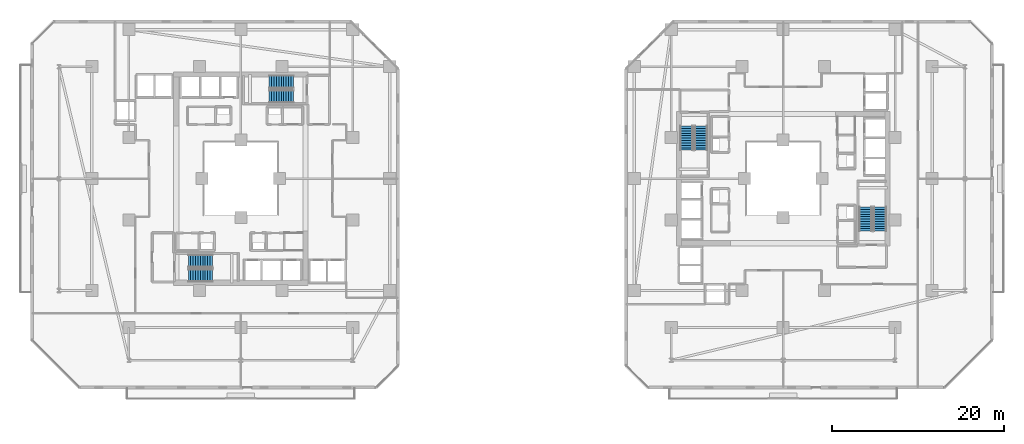
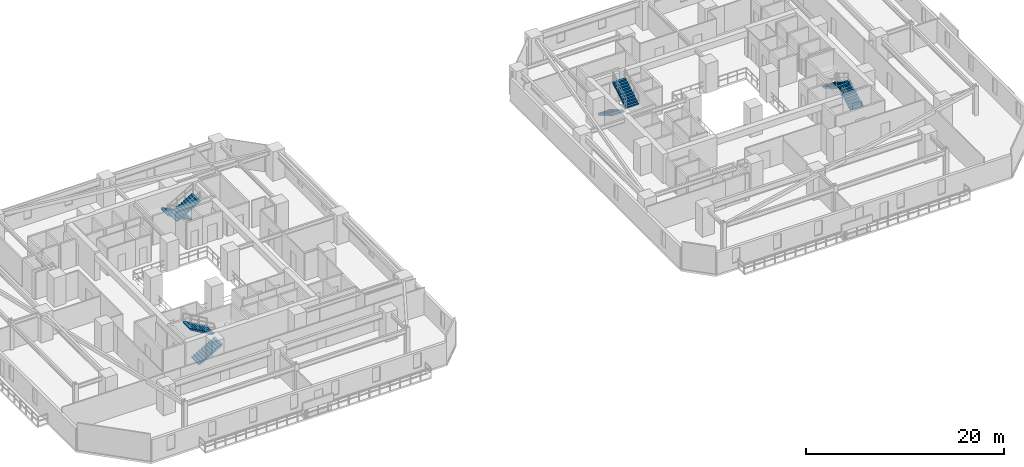
# One storey, part 26 of 33: 8 stair flights, 4 elements without a shape of their own.
"""IFC4 building model written with IfcOpenShell, lengths in metres."""

import ifcopenshell
import ifcopenshell.guid

model = None  # the IFC model being written
_history = None  # IfcOwnerHistory: only IFC2X3 demands one
_inside = {}  # id of a spatial element -> (the spatial element, [elements in it])
_under = {}  # id of a project, library or spatial element -> (it, [spatial elements below it])
_declared = {}  # id of a project -> (the project, [libraries it declares])
_typed = {}  # id of a type object -> (the type object, [elements of that type])
_made_of = {}  # id of a material, layer set ... -> (it, [elements and type objects made of it])


def new_model(schema):
    """Start an empty IFC model of exactly this schema.

    Asked for "IFC4X3", IfcOpenShell would pick the latest addendum, in which some entities
    have other attributes; the version numbers below select the first issue.
    IFC2X3 requires an IfcOwnerHistory on every rooted entity: one is made here for all.
    """
    global model, _history
    if schema == "IFC4X3":
        model = ifcopenshell.file(schema_version=(4, 3, 0, 0))
    else:
        model = ifcopenshell.file(schema=schema)
    _inside.clear()
    _under.clear()
    _declared.clear()
    _typed.clear()
    _made_of.clear()
    _history = None
    if model.schema == "IFC2X3":
        org = make("IfcOrganization", Name="unknown")
        user = make(
            "IfcPersonAndOrganization",
            ThePerson=make("IfcPerson", FamilyName="unknown"),
            TheOrganization=org,
        )
        app = make(
            "IfcApplication",
            ApplicationDeveloper=org,
            Version="unknown",
            ApplicationFullName="unknown",
            ApplicationIdentifier="unknown",
        )
        _history = make(
            "IfcOwnerHistory",
            OwningUser=user,
            OwningApplication=app,
            ChangeAction="ADDED",
            CreationDate=0,
        )
    return model


def make(cls, **values):
    """One entity of the class cls with the attributes given. An attribute that is None is left unset."""
    return model.create_entity(
        cls, **{name: value for name, value in values.items() if value is not None}
    )


def rooted(cls, **values):
    """An entity with a GlobalId (a new one), such as an element, a storey or a relation."""
    return make(cls, GlobalId=ifcopenshell.guid.new(), OwnerHistory=_history, **values)


def si_unit(unit_type, name, prefix=None):
    """IfcSIUnit, for example si_unit("LENGTHUNIT", "METRE", prefix="MILLI")."""
    return make("IfcSIUnit", UnitType=unit_type, Prefix=prefix, Name=name)


def assignment(units):
    """IfcUnitAssignment: the units of a project."""
    return None if units is None else make("IfcUnitAssignment", Units=units)


def point(xyz):
    """IfcCartesianPoint."""
    return None if xyz is None else make("IfcCartesianPoint", Coordinates=xyz)


def direction(xyz):
    """IfcDirection."""
    return None if xyz is None else make("IfcDirection", DirectionRatios=xyz)


def frame(location, z_axis=None, x_axis=None):
    """IfcAxis2Placement3D, a coordinate frame: its origin and axes. An axis left out is left unset."""
    return make(
        "IfcAxis2Placement3D",
        Location=point(location),
        Axis=direction(z_axis),
        RefDirection=direction(x_axis),
    )


def origin():
    """The frame at (0, 0, 0) with its axes left unset."""
    return frame((0.0, 0.0, 0.0))


def place(relative_to, where):
    """IfcLocalPlacement: puts the frame where relative to a parent placement (None: the world)."""
    return make(
        "IfcLocalPlacement", PlacementRelTo=relative_to, RelativePlacement=where
    )


def context(
    kind, dimensions, precision=None, world=None, true_north=None, identifier=None
):
    """IfcGeometricRepresentationContext, for example the 3D "Model" context."""
    return make(
        "IfcGeometricRepresentationContext",
        ContextIdentifier=identifier,
        ContextType=kind,
        CoordinateSpaceDimension=dimensions,
        Precision=precision,
        WorldCoordinateSystem=world,
        TrueNorth=true_north,
    )


def subcontext(parent, identifier, kind, view, scale=None):
    """IfcGeometricRepresentationSubContext, for example "Body" below "Model"."""
    return make(
        "IfcGeometricRepresentationSubContext",
        ContextIdentifier=identifier,
        ContextType=kind,
        ParentContext=parent,
        TargetScale=scale,
        TargetView=view,
    )


def project(units=None, contexts=None):
    """IfcProject with its units and contexts."""
    return rooted(
        "IfcProject",
        Name="project",
        RepresentationContexts=contexts,
        UnitsInContext=assignment(units),
    )


def spatial(cls, under=None, at=None, **own):
    """A site, building, storey or space (cls), placed at a placement, below another one or the project."""
    s = rooted(cls, ObjectPlacement=at, **own)
    if under is not None:
        _under.setdefault(under.id(), (under, []))[1].append(s)
    return s


def polyline(points):
    """IfcPolyline through the points."""
    return make("IfcPolyline", Points=[point(p) for p in points])


def outline(outer, holes=None, kind="AREA"):
    """IfcArbitraryClosedProfileDef: a profile drawn as a closed curve; with holes, ...WithVoids."""
    if holes is None:
        return make("IfcArbitraryClosedProfileDef", ProfileType=kind, OuterCurve=outer)
    return make(
        "IfcArbitraryProfileDefWithVoids",
        ProfileType=kind,
        OuterCurve=outer,
        InnerCurves=holes,
    )


def extrude(swept, where, along, depth):
    """IfcExtrudedAreaSolid: the profile swept, set in the frame where, extruded along a direction by depth."""
    return make(
        "IfcExtrudedAreaSolid",
        SweptArea=swept,
        Position=where,
        ExtrudedDirection=direction(along),
        Depth=depth,
    )


def shape(context_of_items, identifier, shape_type, items):
    """IfcShapeRepresentation: the items that make up one representation, for example the "Body"."""
    return make(
        "IfcShapeRepresentation",
        ContextOfItems=context_of_items,
        RepresentationIdentifier=identifier,
        RepresentationType=shape_type,
        Items=items,
    )


def material(Name=None, Category=None):
    """IfcMaterial."""
    return make("IfcMaterial", Name=Name, Category=Category)


def made_of(thing, what):
    """Note that an element or type object is made of a material, layer set ...; save() writes the relation."""
    if what is not None:
        _made_of.setdefault(what.id(), (what, []))[1].append(thing)
    return thing


def type_object(cls, material=None, **own):
    """A type object (cls), such as IfcWallType, which elements share."""
    return made_of(rooted(cls, **own), material)


def element(
    cls,
    number,
    at=None,
    inside=None,
    cuts=None,
    type_object=None,
    material=None,
    context=None,
    identifier="Body",
    shape_type=None,
    held_by="IfcProductDefinitionShape",
    body=None,
    shapes=None,
    **own,
):
    """One element of the class cls, such as IfcWall. Its Tag is "e" and its number.

    at: its placement. inside: the storey or other place that contains it. cuts: it is an
    opening in that element (IfcRelVoidsElement). A single representation is given by context,
    identifier, shape_type and body (its items); several are given by shapes. held_by: the class
    of the entity that holds the representations. save() writes the other relations.
    """
    e = rooted(cls, Tag="e%d" % number, ObjectPlacement=at, **own)
    if body is not None:
        shapes = [shape(context, identifier, shape_type, body)]
    if shapes is not None:
        e.Representation = make(held_by, Representations=shapes)
    if inside is not None:
        _inside.setdefault(inside.id(), (inside, []))[1].append(e)
    if cuts is not None:
        rooted(
            "IfcRelVoidsElement", RelatingBuildingElement=cuts, RelatedOpeningElement=e
        )
    if type_object is not None:
        _typed.setdefault(type_object.id(), (type_object, []))[1].append(e)
    return made_of(e, material)


def aggregate(whole, parts):
    """IfcRelAggregates: a whole, such as a stair, and the parts it consists of."""
    return rooted("IfcRelAggregates", RelatingObject=whole, RelatedObjects=parts)


def save(model, path):
    """Write the relations noted so far, then the file.

    IfcRelAggregates (storeys below a building ...), IfcRelContainedInSpatialStructure (elements
    in a storey), IfcRelDefinesByType, IfcRelAssociatesMaterial and IfcRelDeclares: one each for
    every whole, place, type object, material and project.
    """
    for whole, parts in _under.values():
        aggregate(whole, parts)
    for where, things in _inside.values():
        rooted(
            "IfcRelContainedInSpatialStructure",
            RelatedElements=things,
            RelatingStructure=where,
        )
    for kind, things in _typed.values():
        rooted("IfcRelDefinesByType", RelatedObjects=things, RelatingType=kind)
    for what, things in _made_of.values():
        rooted("IfcRelAssociatesMaterial", RelatedObjects=things, RelatingMaterial=what)
    for by, libraries in _declared.values():
        rooted("IfcRelDeclares", RelatingContext=by, RelatedDefinitions=libraries)
    model.write(path)


model = new_model("IFC4")

# Units and contexts
model_context = context("Model", 3, precision=1e-05, world=origin(), true_north=direction((0.0, 1.0)))
body_context = subcontext(model_context, "Body", "Model", "MODEL_VIEW")
ifc_project = project(units=[si_unit("LENGTHUNIT", "METRE"), si_unit("AREAUNIT", "SQUARE_METRE"), si_unit("VOLUMEUNIT", "CUBIC_METRE"), si_unit("PLANEANGLEUNIT", "RADIAN"), si_unit("MASSUNIT", "GRAM", prefix="KILO")], contexts=[model_context])

# Site, building, storey
site_placement = place(None, origin())
site = spatial("IfcSite", under=ifc_project, at=site_placement, CompositionType="ELEMENT")
building_placement = place(site_placement, origin())
building = spatial("IfcBuilding", under=site, at=building_placement, Name="Thornwick Lancets Civic Towers", CompositionType="ELEMENT")
storey_placement = place(building_placement, frame((0.0, 0.0, 35.10009765625)))
storey = spatial("IfcBuildingStorey", under=building, at=storey_placement, Name="L08", CompositionType="ELEMENT", Elevation=35.10009765625)

# Stair, stair flights
ifc_material = material(Name="Concrete C40/50", Category="concrete")
stair_type = type_object("IfcStairType", Name="STAIR_DL_3600", PredefinedType="HALF_TURN_STAIR", material=ifc_material)
stair_1_placement = place(storey_placement, origin())
stair_1 = element("IfcStair", 1, at=stair_1_placement, inside=storey, type_object=stair_type, Name="L08 Tower A South Exit Stair ST-A1", PredefinedType="HALF_TURN_STAIR")
stair_flight_type = type_object("IfcStairFlightType", Name="FLIGHT_3600", PredefinedType="STRAIGHT", material=ifc_material)
stair_flight_1_placement = place(storey_placement, frame((19.39990234375, 15.75, 0.0), z_axis=(0.0, 0.0, 1.0), x_axis=(1.0, 0.0, 0.0)))
stair_flight_1 = element("IfcStairFlight", 2, at=stair_flight_1_placement, type_object=stair_flight_type, Name="ST-A1 flight 1", NumberOfRisers=11, NumberOfTreads=10, PredefinedType="STRAIGHT", RiserHeight=0.163636364, TreadLength=0.28, context=body_context, shape_type="SweptSolid", body=[
    extrude(outline(polyline([(0.0, 0.0), (0.0, 0.16357421875), (0.280029296875, 0.16357421875), (0.280029296875, 0.327392578125), (0.56005859375, 0.327392578125), (0.56005859375, 0.490966796875), (0.840087890625, 0.490966796875), (0.840087890625, 0.654541015625), (1.1201171875, 0.654541015625), (1.1201171875, 0.818115234375), (1.39990234375, 0.818115234375), (1.39990234375, 0.98193359375), (1.679931640625, 0.98193359375), (1.679931640625, 1.1455078125), (1.9599609375, 1.1455078125), (1.9599609375, 1.30908203125), (2.239990234375, 1.30908203125), (2.239990234375, 1.47265625), (2.52001953125, 1.47265625), (2.52001953125, 1.636474609375), (2.800048828125, 1.636474609375), (2.800048828125, 1.800048828125), (2.800048828125, 1.462646484375), (0.297119140625, 0.0), (0.0, 0.0)])), frame((0.0, 0.75, 0.0), z_axis=(0.0, -1.0, 0.0), x_axis=(1.0, 0.0, 0.0)), (0.0, 0.0, 1.0), 1.5),
])
stair_flight_2_placement = place(storey_placement, frame((22.199951171875, 17.449951171875, 1.7998046875), z_axis=(0.0, 0.0, 1.0), x_axis=(-1.0, 0.0, 0.0)))
stair_flight_2 = element("IfcStairFlight", 3, at=stair_flight_2_placement, type_object=stair_flight_type, Name="ST-A1 flight 2", NumberOfRisers=11, NumberOfTreads=10, PredefinedType="STRAIGHT", RiserHeight=0.163636364, TreadLength=0.28, context=body_context, shape_type="SweptSolid", body=[
    extrude(outline(polyline([(0.0, 0.0), (0.0, 0.16357421875), (0.280029296875, 0.16357421875), (0.280029296875, 0.327392578125), (0.56005859375, 0.327392578125), (0.56005859375, 0.490966796875), (0.840087890625, 0.490966796875), (0.840087890625, 0.654541015625), (1.1201171875, 0.654541015625), (1.1201171875, 0.818115234375), (1.39990234375, 0.818115234375), (1.39990234375, 0.98193359375), (1.679931640625, 0.98193359375), (1.679931640625, 1.1455078125), (1.9599609375, 1.1455078125), (1.9599609375, 1.30908203125), (2.239990234375, 1.30908203125), (2.239990234375, 1.47265625), (2.52001953125, 1.47265625), (2.52001953125, 1.636474609375), (2.800048828125, 1.636474609375), (2.800048828125, 1.800048828125), (2.800048828125, 1.462646484375), (0.297119140625, 0.0), (0.0, 0.0)])), frame((0.0, 0.75, 0.0), z_axis=(0.0, -1.0, 0.0), x_axis=(1.0, 0.0, 0.0)), (0.0, 0.0, 1.0), 1.5),
])
aggregate(stair_1, [stair_flight_1, stair_flight_2])

stair_2_placement = place(storey_placement, origin())
stair_2 = element("IfcStair", 4, at=stair_2_placement, inside=storey, type_object=stair_type, Name="L08 Tower A North Exit Stair ST-A2", PredefinedType="HALF_TURN_STAIR")
stair_flight_3_placement = place(storey_placement, frame((31.60009765625, 38.25, 0.0), z_axis=(0.0, 0.0, 1.0), x_axis=(-1.0, 0.0, 0.0)))
stair_flight_3 = element("IfcStairFlight", 5, at=stair_flight_3_placement, type_object=stair_flight_type, Name="ST-A2 flight 1", NumberOfRisers=11, NumberOfTreads=10, PredefinedType="STRAIGHT", RiserHeight=0.163636364, TreadLength=0.28, context=body_context, shape_type="SweptSolid", body=[
    extrude(outline(polyline([(0.0, 0.0), (0.0, 0.16357421875), (0.280029296875, 0.16357421875), (0.280029296875, 0.327392578125), (0.56005859375, 0.327392578125), (0.56005859375, 0.490966796875), (0.840087890625, 0.490966796875), (0.840087890625, 0.654541015625), (1.1201171875, 0.654541015625), (1.1201171875, 0.818115234375), (1.39990234375, 0.818115234375), (1.39990234375, 0.98193359375), (1.679931640625, 0.98193359375), (1.679931640625, 1.1455078125), (1.9599609375, 1.1455078125), (1.9599609375, 1.30908203125), (2.239990234375, 1.30908203125), (2.239990234375, 1.47265625), (2.52001953125, 1.47265625), (2.52001953125, 1.636474609375), (2.800048828125, 1.636474609375), (2.800048828125, 1.800048828125), (2.800048828125, 1.462646484375), (0.297119140625, 0.0), (0.0, 0.0)])), frame((0.0, 0.75, 0.0), z_axis=(0.0, -1.0, 0.0), x_axis=(1.0, 0.0, 0.0)), (0.0, 0.0, 1.0), 1.5),
])
stair_flight_4_placement = place(storey_placement, frame((28.800048828125, 36.550048828125, 1.7998046875), z_axis=(0.0, 0.0, 1.0), x_axis=(1.0, 0.0, 0.0)))
stair_flight_4 = element("IfcStairFlight", 6, at=stair_flight_4_placement, type_object=stair_flight_type, Name="ST-A2 flight 2", NumberOfRisers=11, NumberOfTreads=10, PredefinedType="STRAIGHT", RiserHeight=0.163636364, TreadLength=0.28, context=body_context, shape_type="SweptSolid", body=[
    extrude(outline(polyline([(0.0, 0.0), (0.0, 0.16357421875), (0.280029296875, 0.16357421875), (0.280029296875, 0.327392578125), (0.56005859375, 0.327392578125), (0.56005859375, 0.490966796875), (0.840087890625, 0.490966796875), (0.840087890625, 0.654541015625), (1.1201171875, 0.654541015625), (1.1201171875, 0.818115234375), (1.39990234375, 0.818115234375), (1.39990234375, 0.98193359375), (1.679931640625, 0.98193359375), (1.679931640625, 1.1455078125), (1.9599609375, 1.1455078125), (1.9599609375, 1.30908203125), (2.239990234375, 1.30908203125), (2.239990234375, 1.47265625), (2.52001953125, 1.47265625), (2.52001953125, 1.636474609375), (2.800048828125, 1.636474609375), (2.800048828125, 1.800048828125), (2.800048828125, 1.462646484375), (0.297119140625, 0.0), (0.0, 0.0)])), frame((0.0, 0.75, 0.0), z_axis=(0.0, -1.0, 0.0), x_axis=(1.0, 0.0, 0.0)), (0.0, 0.0, 1.0), 1.5),
])
aggregate(stair_2, [stair_flight_3, stair_flight_4])

stair_3_placement = place(storey_placement, origin())
stair_3 = element("IfcStair", 7, at=stair_3_placement, inside=storey, type_object=stair_type, Name="L08 Tower B East Exit Stair ST-B1", PredefinedType="HALF_TURN_STAIR")
stair_flight_5_placement = place(storey_placement, frame((99.75, 20.89990234375, 0.0), z_axis=(0.0, 0.0, 1.0), x_axis=(0.0, 1.0, 0.0)))
stair_flight_5 = element("IfcStairFlight", 8, at=stair_flight_5_placement, type_object=stair_flight_type, Name="ST-B1 flight 1", NumberOfRisers=11, NumberOfTreads=10, PredefinedType="STRAIGHT", RiserHeight=0.163636364, TreadLength=0.28, context=body_context, shape_type="SweptSolid", body=[
    extrude(outline(polyline([(0.0, 0.0), (0.0, 0.16357421875), (0.280029296875, 0.16357421875), (0.280029296875, 0.327392578125), (0.56005859375, 0.327392578125), (0.56005859375, 0.490966796875), (0.840087890625, 0.490966796875), (0.840087890625, 0.654541015625), (1.1201171875, 0.654541015625), (1.1201171875, 0.818115234375), (1.39990234375, 0.818115234375), (1.39990234375, 0.98193359375), (1.679931640625, 0.98193359375), (1.679931640625, 1.1455078125), (1.9599609375, 1.1455078125), (1.9599609375, 1.30908203125), (2.239990234375, 1.30908203125), (2.239990234375, 1.47265625), (2.52001953125, 1.47265625), (2.52001953125, 1.636474609375), (2.800048828125, 1.636474609375), (2.800048828125, 1.800048828125), (2.800048828125, 1.462646484375), (0.297119140625, 0.0), (0.0, 0.0)])), frame((0.0, 0.75, 0.0), z_axis=(0.0, -1.0, 0.0), x_axis=(1.0, 0.0, 0.0)), (0.0, 0.0, 1.0), 1.5),
])
stair_flight_6_placement = place(storey_placement, frame((98.050048828125, 23.699951171875, 1.7998046875), z_axis=(0.0, 0.0, 1.0), x_axis=(0.0, -1.0, 0.0)))
stair_flight_6 = element("IfcStairFlight", 9, at=stair_flight_6_placement, type_object=stair_flight_type, Name="ST-B1 flight 2", NumberOfRisers=11, NumberOfTreads=10, PredefinedType="STRAIGHT", RiserHeight=0.163636364, TreadLength=0.28, context=body_context, shape_type="SweptSolid", body=[
    extrude(outline(polyline([(0.0, 0.0), (0.0, 0.16357421875), (0.280029296875, 0.16357421875), (0.280029296875, 0.327392578125), (0.56005859375, 0.327392578125), (0.56005859375, 0.490966796875), (0.840087890625, 0.490966796875), (0.840087890625, 0.654541015625), (1.1201171875, 0.654541015625), (1.1201171875, 0.818115234375), (1.39990234375, 0.818115234375), (1.39990234375, 0.98193359375), (1.679931640625, 0.98193359375), (1.679931640625, 1.1455078125), (1.9599609375, 1.1455078125), (1.9599609375, 1.30908203125), (2.239990234375, 1.30908203125), (2.239990234375, 1.47265625), (2.52001953125, 1.47265625), (2.52001953125, 1.636474609375), (2.800048828125, 1.636474609375), (2.800048828125, 1.800048828125), (2.800048828125, 1.462646484375), (0.297119140625, 0.0), (0.0, 0.0)])), frame((0.0, 0.75, 0.0), z_axis=(0.0, -1.0, 0.0), x_axis=(1.0, 0.0, 0.0)), (0.0, 0.0, 1.0), 1.5),
])
aggregate(stair_3, [stair_flight_5, stair_flight_6])

stair_4_placement = place(storey_placement, origin())
stair_4 = element("IfcStair", 10, at=stair_4_placement, inside=storey, type_object=stair_type, Name="L08 Tower B West Exit Stair ST-B2", PredefinedType="HALF_TURN_STAIR")
stair_flight_7_placement = place(storey_placement, frame((77.25, 33.10009765625, 0.0), z_axis=(0.0, 0.0, 1.0), x_axis=(0.0, -1.0, 0.0)))
stair_flight_7 = element("IfcStairFlight", 11, at=stair_flight_7_placement, type_object=stair_flight_type, Name="ST-B2 flight 1", NumberOfRisers=11, NumberOfTreads=10, PredefinedType="STRAIGHT", RiserHeight=0.163636364, TreadLength=0.28, context=body_context, shape_type="SweptSolid", body=[
    extrude(outline(polyline([(0.0, 0.0), (0.0, 0.16357421875), (0.280029296875, 0.16357421875), (0.280029296875, 0.327392578125), (0.56005859375, 0.327392578125), (0.56005859375, 0.490966796875), (0.840087890625, 0.490966796875), (0.840087890625, 0.654541015625), (1.1201171875, 0.654541015625), (1.1201171875, 0.818115234375), (1.39990234375, 0.818115234375), (1.39990234375, 0.98193359375), (1.679931640625, 0.98193359375), (1.679931640625, 1.1455078125), (1.9599609375, 1.1455078125), (1.9599609375, 1.30908203125), (2.239990234375, 1.30908203125), (2.239990234375, 1.47265625), (2.52001953125, 1.47265625), (2.52001953125, 1.636474609375), (2.800048828125, 1.636474609375), (2.800048828125, 1.800048828125), (2.800048828125, 1.462646484375), (0.297119140625, 0.0), (0.0, 0.0)])), frame((0.0, 0.75, 0.0), z_axis=(0.0, -1.0, 0.0), x_axis=(1.0, 0.0, 0.0)), (0.0, 0.0, 1.0), 1.5),
])
stair_flight_8_placement = place(storey_placement, frame((78.949951171875, 30.300048828125, 1.7998046875), z_axis=(0.0, 0.0, 1.0), x_axis=(0.0, 1.0, 0.0)))
stair_flight_8 = element("IfcStairFlight", 12, at=stair_flight_8_placement, type_object=stair_flight_type, Name="ST-B2 flight 2", NumberOfRisers=11, NumberOfTreads=10, PredefinedType="STRAIGHT", RiserHeight=0.163636364, TreadLength=0.28, context=body_context, shape_type="SweptSolid", body=[
    extrude(outline(polyline([(0.0, 0.0), (0.0, 0.16357421875), (0.280029296875, 0.16357421875), (0.280029296875, 0.327392578125), (0.56005859375, 0.327392578125), (0.56005859375, 0.490966796875), (0.840087890625, 0.490966796875), (0.840087890625, 0.654541015625), (1.1201171875, 0.654541015625), (1.1201171875, 0.818115234375), (1.39990234375, 0.818115234375), (1.39990234375, 0.98193359375), (1.679931640625, 0.98193359375), (1.679931640625, 1.1455078125), (1.9599609375, 1.1455078125), (1.9599609375, 1.30908203125), (2.239990234375, 1.30908203125), (2.239990234375, 1.47265625), (2.52001953125, 1.47265625), (2.52001953125, 1.636474609375), (2.800048828125, 1.636474609375), (2.800048828125, 1.800048828125), (2.800048828125, 1.462646484375), (0.297119140625, 0.0), (0.0, 0.0)])), frame((0.0, 0.75, 0.0), z_axis=(0.0, -1.0, 0.0), x_axis=(1.0, 0.0, 0.0)), (0.0, 0.0, 1.0), 1.5),
])
aggregate(stair_4, [stair_flight_7, stair_flight_8])

save(model, "model.ifc")
